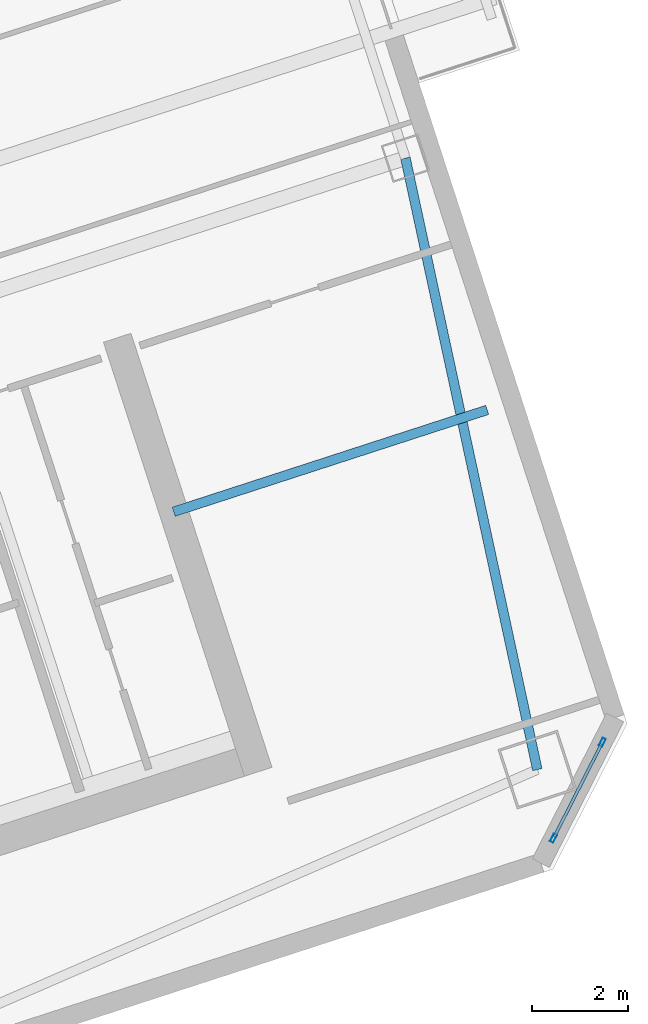
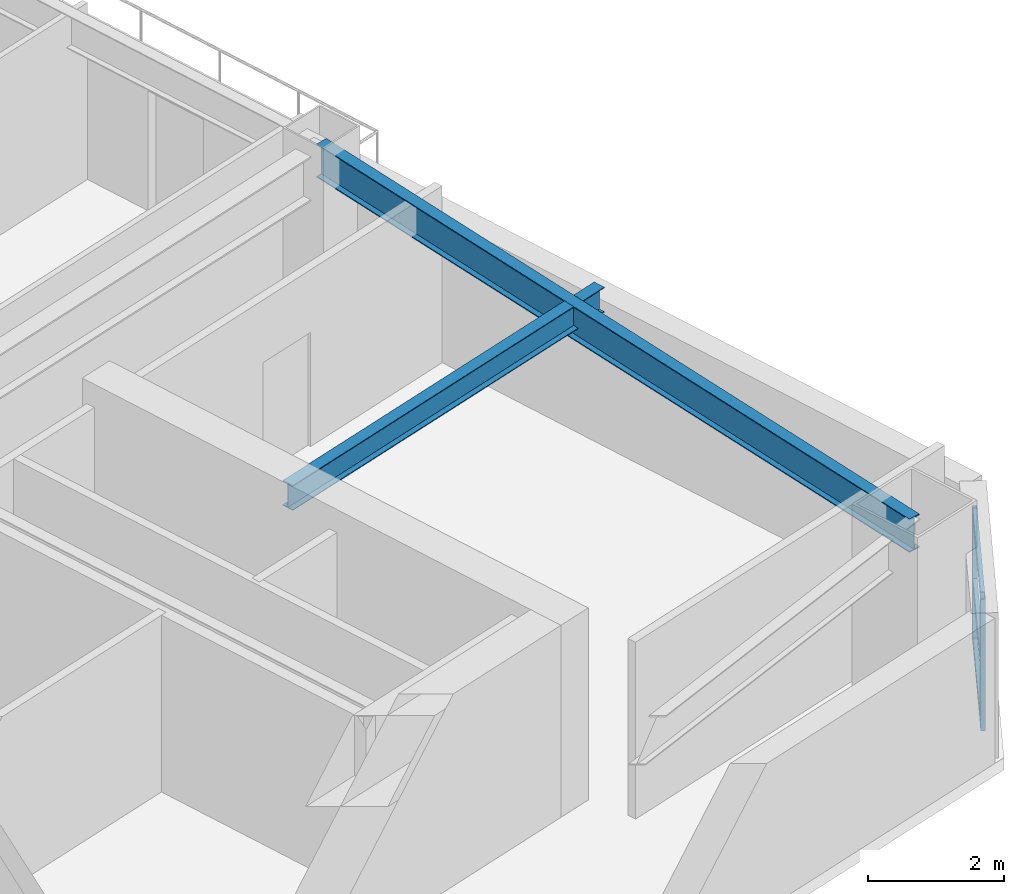
# One storey, part 10 of 22: 5 members, 2 beams, 1 element without a shape of its own.
"""IFC4 building model written with IfcOpenShell, lengths in metres."""

from ifc_helpers import new_model, si_unit, direction, frame, origin, origin_2d, place, context, subcontext, project, spatial, hollow_rectangle, i_section, extrude, material, layer, layer_set, material_profile, profile_set, type_object, element, aggregate, save


model = new_model("IFC4")

# Units and contexts
model_context = context("Model", 3, precision=1e-05, world=origin(), true_north=direction((0.0, 1.0)))
body_context = subcontext(model_context, "Body", "Model", "MODEL_VIEW")
ifc_project = project(units=[si_unit("LENGTHUNIT", "METRE"), si_unit("AREAUNIT", "SQUARE_METRE"), si_unit("VOLUMEUNIT", "CUBIC_METRE"), si_unit("PLANEANGLEUNIT", "RADIAN"), si_unit("MASSUNIT", "GRAM", prefix="KILO")], contexts=[model_context])

# Site, building, storey
site_placement = place(None, origin())
site = spatial("IfcSite", under=ifc_project, at=site_placement, CompositionType="ELEMENT")
building_placement = place(site_placement, origin())
building = spatial("IfcBuilding", under=site, at=building_placement, Name="Qiaolan Cultural Towers", CompositionType="ELEMENT")
storey_placement = place(building_placement, frame((0.0, 0.0, 146.050048828125)))
storey = spatial("IfcBuildingStorey", under=building, at=storey_placement, Name="L38", CompositionType="ELEMENT", Elevation=146.050048828125)

# Beams
ifc_material_1 = material(Name="Steel Q355B", Category="steel")
ifc_material_profile_1 = material_profile(ifc_material_1, i_section(OverallWidth=0.199951171875, OverallDepth=0.449951171875, WebThickness=0.009033203125, FlangeThickness=0.013916015625, at=origin_2d()), Name="HN450x200x9x14")
ifc_profile_set_1 = profile_set([ifc_material_profile_1], Name="Steel Q355B")
beam_type_1 = type_object("IfcBeamType", Name="BM-LNT-HN450x200x9x14", PredefinedType="LINTEL", material=ifc_profile_set_1)
beam_1_placement = place(storey_placement, frame((102.279296875, 22.74365234375, 2.96484375), z_axis=(0.951061565824, 0.30900145309, 0.0), x_axis=(-0.30900145309, 0.951061565824, 0.0)))
element("IfcBeam", 1, at=beam_1_placement, inside=storey, type_object=beam_type_1, Name="L38 T2 Core Flank Tie Lintel ES", PredefinedType="LINTEL", context=body_context, shape_type="SweptSolid", body=[
    extrude(i_section(OverallWidth=0.199951171875, OverallDepth=0.449951171875, WebThickness=0.009033203125, FlangeThickness=0.013916015625, at=origin_2d()), origin(), (0.0, 0.0, 1.0), 6.85009765625),
])
ifc_material_2 = material(Name="Steel Q355B", Category="steel")
ifc_material_profile_2 = material_profile(ifc_material_2, i_section(OverallWidth=0.199951171875, OverallDepth=0.60009765625, WebThickness=0.010986328125, FlangeThickness=0.01708984375, at=origin_2d()), Name="HN600x200x11x17")
ifc_profile_set_2 = profile_set([ifc_material_profile_2], Name="Steel Q355B")
beam_type_2 = type_object("IfcBeamType", Name="BM-SPD-HN600x200x11x17", PredefinedType="SPANDREL", material=ifc_profile_set_2)
beam_2_placement = place(storey_placement, frame((109.834716796875, 17.38623046875, 2.889892578125), z_axis=(-0.210832241173, 0.977522258612, 0.0), x_axis=(-0.977522258612, -0.210832241173, 0.0)))
element("IfcBeam", 2, at=beam_2_placement, inside=storey, type_object=beam_type_2, Name="L38 T2 Perimeter Spandrel Beam 3", PredefinedType="SPANDREL", context=body_context, shape_type="SweptSolid", body=[
    extrude(i_section(OverallWidth=0.199951171875, OverallDepth=0.60009765625, WebThickness=0.010986328125, FlangeThickness=0.01708984375, at=origin_2d()), origin(), (0.0, 0.0, 1.0), 12.997314453125),
])

# Curtain wall, members
ifc_material_3 = material(Name="Unitized Anodized Aluminium Curtain Wall System", Category="aluminium")
ifc_layer = layer(ifc_material_3, 0.199951171875)
ifc_layer_set = layer_set([ifc_layer], Name="Unitized Anodized Aluminium Curtain Wall System")
curtain_wall_type = type_object("IfcCurtainWallType", Name="CWS-03", PredefinedType="NOTDEFINED", material=ifc_layer_set)
curtain_wall_placement = place(storey_placement, origin())
curtain_wall = element("IfcCurtainWall", 3, at=curtain_wall_placement, inside=storey, type_object=curtain_wall_type, Name="L38 T2 Chamfer Wind-Corner Feature Curtain Wall 2", PredefinedType="NOTDEFINED")
ifc_material_4 = material(Name="Extruded Aluminium 6063-T6", Category="aluminium")
ifc_material_profile_3 = material_profile(ifc_material_4, hollow_rectangle(XDim=0.074951171875, YDim=0.179931640625, WallThickness=0.00390625, at=origin_2d()), Name="CWM-180x75x4")
ifc_profile_set_3 = profile_set([ifc_material_profile_3], Name="Extruded Aluminium 6063-T6")
member_type_1 = type_object("IfcMemberType", Name="CWS-03-MUL", PredefinedType="MULLION", material=ifc_profile_set_3)
member_1_placement = place(storey_placement, frame((111.185791015625, 17.95068359375, 0.14990234375), z_axis=(0.0, 0.0, 1.0), x_axis=(0.891006528546, -0.453990491186, 0.0)))
member_1 = element("IfcMember", 4, at=member_1_placement, type_object=member_type_1, Name="CW-3 mullion 1", PredefinedType="MULLION", context=body_context, shape_type="SweptSolid", body=[
    extrude(hollow_rectangle(XDim=0.074951171875, YDim=0.179931640625, WallThickness=0.00390625, at=origin_2d()), origin(), (0.0, 0.0, 1.0), 2.360107421875),
])
member_2_placement = place(storey_placement, frame((110.172119140625, 15.961181640625, 0.14990234375), z_axis=(0.0, 0.0, 1.0), x_axis=(0.891006528546, -0.453990491186, 0.0)))
member_2 = element("IfcMember", 5, at=member_2_placement, type_object=member_type_1, Name="CW-3 mullion 2", PredefinedType="MULLION", context=body_context, shape_type="SweptSolid", body=[
    extrude(hollow_rectangle(XDim=0.074951171875, YDim=0.179931640625, WallThickness=0.00390625, at=origin_2d()), origin(), (0.0, 0.0, 1.0), 2.360107421875),
])
ifc_material_5 = material(Name="Extruded Aluminium 6063-T6", Category="aluminium")
ifc_material_profile_4 = material_profile(ifc_material_5, hollow_rectangle(XDim=0.06494140625, YDim=0.14990234375, WallThickness=0.00390625, at=origin_2d()), Name="CWT-150x65x4")
ifc_profile_set_4 = profile_set([ifc_material_profile_4], Name="Extruded Aluminium 6063-T6")
member_type_2 = type_object("IfcMemberType", Name="CWS-03-TRN", PredefinedType="USERDEFINED", material=ifc_profile_set_4)
member_3_placement = place(storey_placement, frame((111.1689453125, 17.91748046875, 0.182373046875), z_axis=(-0.453988484323, -0.891007551091, 0.0), x_axis=(0.891007551091, -0.453988484323, 0.0)))
member_3 = element("IfcMember", 6, at=member_3_placement, type_object=member_type_2, Name="CW-3 transom 1.1", ObjectType="TRANSOM", PredefinedType="USERDEFINED", context=body_context, shape_type="SweptSolid", body=[
    extrude(hollow_rectangle(XDim=0.06494140625, YDim=0.14990234375, WallThickness=0.00390625, at=origin_2d()), origin(), (0.0, 0.0, 1.0), 2.157958984375),
])
member_4_placement = place(storey_placement, frame((111.1689453125, 17.91748046875, 1.25), z_axis=(-0.453988484323, -0.891007551091, 0.0), x_axis=(0.891007551091, -0.453988484323, 0.0)))
member_4 = element("IfcMember", 7, at=member_4_placement, type_object=member_type_2, Name="CW-3 transom 1.2", ObjectType="TRANSOM", PredefinedType="USERDEFINED", context=body_context, shape_type="SweptSolid", body=[
    extrude(hollow_rectangle(XDim=0.06494140625, YDim=0.14990234375, WallThickness=0.00390625, at=origin_2d()), origin(), (0.0, 0.0, 1.0), 2.157958984375),
])
member_5_placement = place(storey_placement, frame((111.1689453125, 17.91748046875, 2.4775390625), z_axis=(-0.453988484323, -0.891007551091, 0.0), x_axis=(0.891007551091, -0.453988484323, 0.0)))
member_5 = element("IfcMember", 8, at=member_5_placement, type_object=member_type_2, Name="CW-3 transom 1.3", ObjectType="TRANSOM", PredefinedType="USERDEFINED", context=body_context, shape_type="SweptSolid", body=[
    extrude(hollow_rectangle(XDim=0.06494140625, YDim=0.14990234375, WallThickness=0.00390625, at=origin_2d()), origin(), (0.0, 0.0, 1.0), 2.157958984375),
])
aggregate(curtain_wall, [member_1, member_2, member_3, member_4, member_5])

save(model, "model.ifc")
